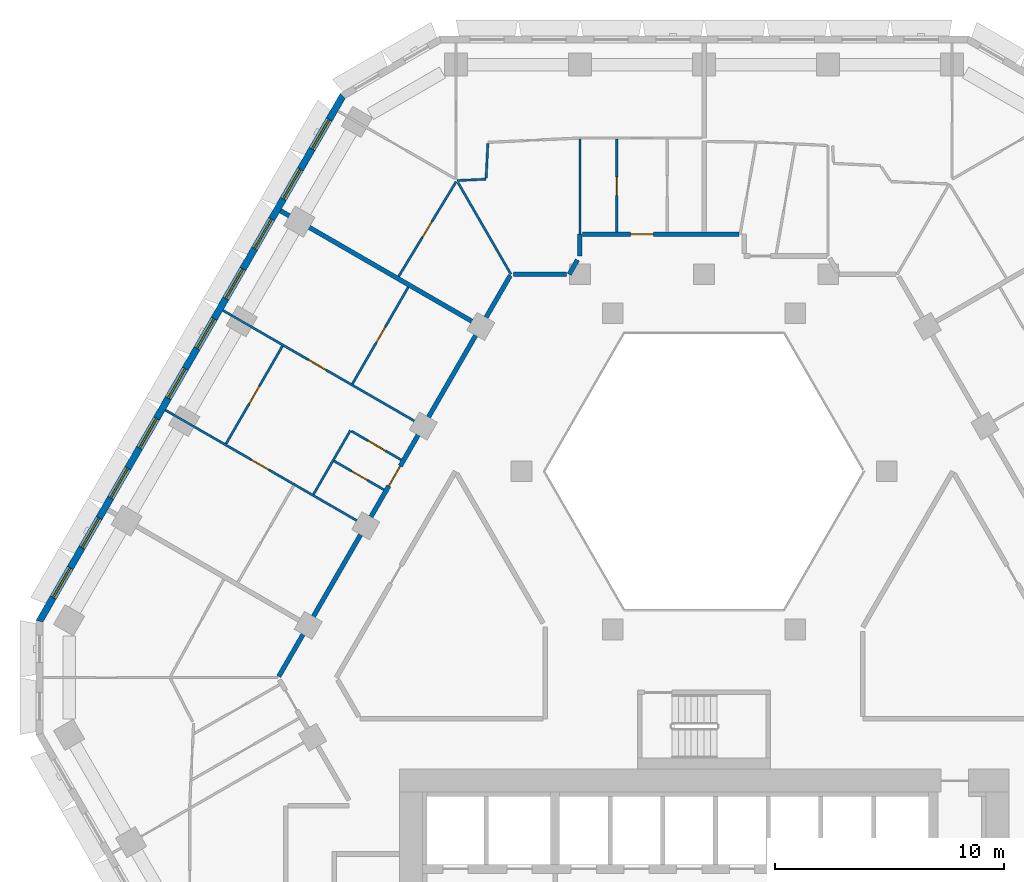
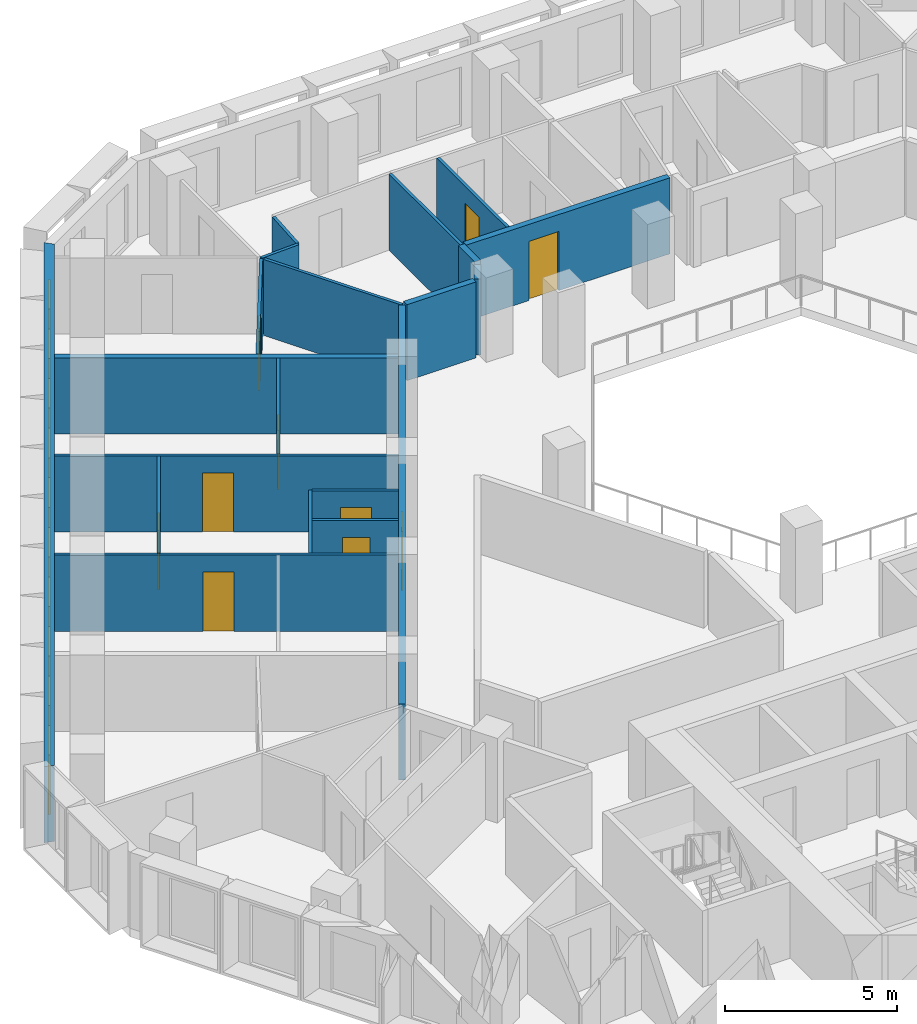
# One storey, part 8 of 18: 20 walls, 10 doors, 10 windows, 20 openings.
"""IFC4 building model written with IfcOpenShell, lengths in metres."""

from ifc_helpers import new_model, si_unit, direction, frame, frame_2d, origin, place, context, subcontext, project, spatial, polyline, rectangle, outline, extrude, material, layer, layer_set, type_object, element, fill, save


model = new_model("IFC4")

# Units and contexts
model_context = context("Model", 3, precision=1e-05, world=origin(), true_north=direction((0.0, 1.0)))
body_context = subcontext(model_context, "Body", "Model", "MODEL_VIEW")
ifc_project = project(units=[si_unit("LENGTHUNIT", "METRE"), si_unit("AREAUNIT", "SQUARE_METRE"), si_unit("VOLUMEUNIT", "CUBIC_METRE"), si_unit("PLANEANGLEUNIT", "RADIAN"), si_unit("MASSUNIT", "GRAM", prefix="KILO")], contexts=[model_context])

# Site, building, storey
site_placement = place(None, origin())
site = spatial("IfcSite", under=ifc_project, at=site_placement, CompositionType="ELEMENT")
building_placement = place(site_placement, origin())
building = spatial("IfcBuilding", under=site, at=building_placement, Name="Beryl Residences", CompositionType="ELEMENT")
storey_placement = place(building_placement, frame((0.0, 0.0, 75.0)))
storey = spatial("IfcBuildingStorey", under=building, at=storey_placement, Name="L22", CompositionType="ELEMENT", Elevation=75.0)

# Wall, openings, windows
ifc_material_1 = material(Name="Composite metal panel with mineral wool insulation")
ifc_layer_1 = layer(ifc_material_1, 0.300048828125)
ifc_layer_set_1 = layer_set([ifc_layer_1], Name="ES1 pale metal composite panel wall 300 mm")
wall_type_1 = type_object("IfcWallType", Name="ES1 pale metal composite panel wall 300 mm", PredefinedType="SOLIDWALL", material=ifc_layer_set_1)
wall_1_placement = place(storey_placement, frame((-15.7470703125, 24.425048828125, 0.0), z_axis=(0.0, 0.0, 1.0), x_axis=(-0.500027479704, -0.866009537788, 0.0)))
wall_1 = element("IfcWall", 1, at=wall_1_placement, inside=storey, type_object=wall_type_1, Name="ES1 external wall L22 NW", PredefinedType="SOLIDWALL", context=body_context, shape_type="SweptSolid", body=[
    extrude(outline(polyline([(0.0, -0.14990234375), (26.55859375, -0.14990234375), (26.478271484375, 0.14990234375), (0.080322265625, 0.14990234375), (0.0, -0.14990234375)])), origin(), (0.0, 0.0, 1.0), 2.699951171875),
])
opening_1_placement = place(wall_1_placement, frame((1.22705078125, 0.0, 0.14990234375)))
opening_1 = element("IfcOpeningElement", 2, at=opening_1_placement, cuts=wall_1, Name="Opening W1", PredefinedType="OPENING", context=body_context, shape_type="SweptSolid", body=[
    extrude(rectangle(XDim=1.5, YDim=2.10009765625, at=frame_2d((0.75, 1.050048828125))), frame((0.0, 0.159912109375, 0.0), z_axis=(0.0, -1.0, 0.0), x_axis=(1.0, 0.0, 0.0)), (0.0, 0.0, 1.0), 0.320068359375),
])
opening_2_placement = place(wall_1_placement, frame((3.739013671875, 0.0, 0.14990234375)))
opening_2 = element("IfcOpeningElement", 3, at=opening_2_placement, cuts=wall_1, Name="Opening W1", PredefinedType="OPENING", context=body_context, shape_type="SweptSolid", body=[
    extrude(rectangle(XDim=1.5, YDim=2.10009765625, at=frame_2d((0.75, 1.050048828125))), frame((0.0, 0.159912109375, 0.0), z_axis=(0.0, -1.0, 0.0), x_axis=(1.0, 0.0, 0.0)), (0.0, 0.0, 1.0), 0.320068359375),
])
opening_3_placement = place(wall_1_placement, frame((6.25, 0.0, 0.14990234375)))
opening_3 = element("IfcOpeningElement", 4, at=opening_3_placement, cuts=wall_1, Name="Opening W1", PredefinedType="OPENING", context=body_context, shape_type="SweptSolid", body=[
    extrude(rectangle(XDim=1.5, YDim=2.10009765625, at=frame_2d((0.75, 1.050048828125))), frame((0.0, 0.159912109375, 0.0), z_axis=(0.0, -1.0, 0.0), x_axis=(1.0, 0.0, 0.0)), (0.0, 0.0, 1.0), 0.320068359375),
])
opening_4_placement = place(wall_1_placement, frame((8.760986328125, 0.0, 0.14990234375)))
opening_4 = element("IfcOpeningElement", 5, at=opening_4_placement, cuts=wall_1, Name="Opening W1", PredefinedType="OPENING", context=body_context, shape_type="SweptSolid", body=[
    extrude(rectangle(XDim=1.5, YDim=2.10009765625, at=frame_2d((0.75, 1.050048828125))), frame((0.0, 0.159912109375, 0.0), z_axis=(0.0, -1.0, 0.0), x_axis=(1.0, 0.0, 0.0)), (0.0, 0.0, 1.0), 0.320068359375),
])
opening_5_placement = place(wall_1_placement, frame((11.27294921875, 0.0, 0.14990234375)))
opening_5 = element("IfcOpeningElement", 6, at=opening_5_placement, cuts=wall_1, Name="Opening W1", PredefinedType="OPENING", context=body_context, shape_type="SweptSolid", body=[
    extrude(rectangle(XDim=1.5, YDim=2.10009765625, at=frame_2d((0.75, 1.050048828125))), frame((0.0, 0.159912109375, 0.0), z_axis=(0.0, -1.0, 0.0), x_axis=(1.0, 0.0, 0.0)), (0.0, 0.0, 1.0), 0.320068359375),
])
opening_6_placement = place(wall_1_placement, frame((13.784912109375, 0.0, 0.14990234375)))
opening_6 = element("IfcOpeningElement", 7, at=opening_6_placement, cuts=wall_1, Name="Opening W1", PredefinedType="OPENING", context=body_context, shape_type="SweptSolid", body=[
    extrude(rectangle(XDim=1.5, YDim=2.10009765625, at=frame_2d((0.75, 1.050048828125))), frame((0.0, 0.159912109375, 0.0), z_axis=(0.0, -1.0, 0.0), x_axis=(1.0, 0.0, 0.0)), (0.0, 0.0, 1.0), 0.320068359375),
])
opening_7_placement = place(wall_1_placement, frame((16.2958984375, 0.0, 0.14990234375)))
opening_7 = element("IfcOpeningElement", 8, at=opening_7_placement, cuts=wall_1, Name="Opening W1", PredefinedType="OPENING", context=body_context, shape_type="SweptSolid", body=[
    extrude(rectangle(XDim=1.5, YDim=2.10009765625, at=frame_2d((0.75, 1.050048828125))), frame((0.0, 0.159912109375, 0.0), z_axis=(0.0, -1.0, 0.0), x_axis=(1.0, 0.0, 0.0)), (0.0, 0.0, 1.0), 0.320068359375),
])
opening_8_placement = place(wall_1_placement, frame((18.806884765625, 0.0, 0.14990234375)))
opening_8 = element("IfcOpeningElement", 9, at=opening_8_placement, cuts=wall_1, Name="Opening W1", PredefinedType="OPENING", context=body_context, shape_type="SweptSolid", body=[
    extrude(rectangle(XDim=1.5, YDim=2.10009765625, at=frame_2d((0.75, 1.050048828125))), frame((0.0, 0.159912109375, 0.0), z_axis=(0.0, -1.0, 0.0), x_axis=(1.0, 0.0, 0.0)), (0.0, 0.0, 1.0), 0.320068359375),
])
opening_9_placement = place(wall_1_placement, frame((21.319091796875, 0.0, 0.14990234375)))
opening_9 = element("IfcOpeningElement", 10, at=opening_9_placement, cuts=wall_1, Name="Opening W1", PredefinedType="OPENING", context=body_context, shape_type="SweptSolid", body=[
    extrude(rectangle(XDim=1.5, YDim=2.10009765625, at=frame_2d((0.75, 1.050048828125))), frame((0.0, 0.159912109375, 0.0), z_axis=(0.0, -1.0, 0.0), x_axis=(1.0, 0.0, 0.0)), (0.0, 0.0, 1.0), 0.320068359375),
])
opening_10_placement = place(wall_1_placement, frame((23.8310546875, 0.0, 0.14990234375)))
opening_10 = element("IfcOpeningElement", 11, at=opening_10_placement, cuts=wall_1, Name="Opening W1", PredefinedType="OPENING", context=body_context, shape_type="SweptSolid", body=[
    extrude(rectangle(XDim=1.5, YDim=2.10009765625, at=frame_2d((0.75, 1.050048828125))), frame((0.0, 0.159912109375, 0.0), z_axis=(0.0, -1.0, 0.0), x_axis=(1.0, 0.0, 0.0)), (0.0, 0.0, 1.0), 0.320068359375),
])
ifc_material_2 = material(Name="Aluminium and clear glass", Category="aluminium")
window_type = type_object("IfcWindowType", Name="W1 cell window 1500 x 2100 mm", PartitioningType="SINGLE_PANEL", PredefinedType="WINDOW", material=ifc_material_2)
window_1_placement = place(opening_1_placement, origin())
window_1 = element("IfcWindow", 12, at=window_1_placement, inside=storey, type_object=window_type, Name="W1 window L22 NW 1", OverallHeight=2.10009765625, OverallWidth=1.5, PartitioningType="SINGLE_PANEL", PredefinedType="WINDOW", context=body_context, shape_type="SweptSolid", body=[
    extrude(rectangle(XDim=1.5, YDim=2.10009765625, at=frame_2d((0.75, 1.050048828125))), frame((0.0, 0.030029296875, 0.0), z_axis=(0.0, -1.0, 0.0), x_axis=(1.0, 0.0, 0.0)), (0.0, 0.0, 1.0), 0.06005859375),
])
fill(opening_1, window_1)
window_2_placement = place(opening_2_placement, origin())
window_2 = element("IfcWindow", 13, at=window_2_placement, inside=storey, type_object=window_type, Name="W1 window L22 NW 2", OverallHeight=2.10009765625, OverallWidth=1.5, PartitioningType="SINGLE_PANEL", PredefinedType="WINDOW", context=body_context, shape_type="SweptSolid", body=[
    extrude(rectangle(XDim=1.5, YDim=2.10009765625, at=frame_2d((0.75, 1.050048828125))), frame((0.0, 0.030029296875, 0.0), z_axis=(0.0, -1.0, 0.0), x_axis=(1.0, 0.0, 0.0)), (0.0, 0.0, 1.0), 0.06005859375),
])
fill(opening_2, window_2)
window_3_placement = place(opening_3_placement, origin())
window_3 = element("IfcWindow", 14, at=window_3_placement, inside=storey, type_object=window_type, Name="W1 window L22 NW 3", OverallHeight=2.10009765625, OverallWidth=1.5, PartitioningType="SINGLE_PANEL", PredefinedType="WINDOW", context=body_context, shape_type="SweptSolid", body=[
    extrude(rectangle(XDim=1.5, YDim=2.10009765625, at=frame_2d((0.75, 1.050048828125))), frame((0.0, 0.030029296875, 0.0), z_axis=(0.0, -1.0, 0.0), x_axis=(1.0, 0.0, 0.0)), (0.0, 0.0, 1.0), 0.06005859375),
])
fill(opening_3, window_3)
window_4_placement = place(opening_4_placement, origin())
window_4 = element("IfcWindow", 15, at=window_4_placement, inside=storey, type_object=window_type, Name="W1 window L22 NW 4", OverallHeight=2.10009765625, OverallWidth=1.5, PartitioningType="SINGLE_PANEL", PredefinedType="WINDOW", context=body_context, shape_type="SweptSolid", body=[
    extrude(rectangle(XDim=1.5, YDim=2.10009765625, at=frame_2d((0.75, 1.050048828125))), frame((0.0, 0.030029296875, 0.0), z_axis=(0.0, -1.0, 0.0), x_axis=(1.0, 0.0, 0.0)), (0.0, 0.0, 1.0), 0.06005859375),
])
fill(opening_4, window_4)
window_5_placement = place(opening_5_placement, origin())
window_5 = element("IfcWindow", 16, at=window_5_placement, inside=storey, type_object=window_type, Name="W1 window L22 NW 5", OverallHeight=2.10009765625, OverallWidth=1.5, PartitioningType="SINGLE_PANEL", PredefinedType="WINDOW", context=body_context, shape_type="SweptSolid", body=[
    extrude(rectangle(XDim=1.5, YDim=2.10009765625, at=frame_2d((0.75, 1.050048828125))), frame((0.0, 0.030029296875, 0.0), z_axis=(0.0, -1.0, 0.0), x_axis=(1.0, 0.0, 0.0)), (0.0, 0.0, 1.0), 0.06005859375),
])
fill(opening_5, window_5)
window_6_placement = place(opening_6_placement, origin())
window_6 = element("IfcWindow", 17, at=window_6_placement, inside=storey, type_object=window_type, Name="W1 window L22 NW 6", OverallHeight=2.10009765625, OverallWidth=1.5, PartitioningType="SINGLE_PANEL", PredefinedType="WINDOW", context=body_context, shape_type="SweptSolid", body=[
    extrude(rectangle(XDim=1.5, YDim=2.10009765625, at=frame_2d((0.75, 1.050048828125))), frame((0.0, 0.030029296875, 0.0), z_axis=(0.0, -1.0, 0.0), x_axis=(1.0, 0.0, 0.0)), (0.0, 0.0, 1.0), 0.06005859375),
])
fill(opening_6, window_6)
window_7_placement = place(opening_7_placement, origin())
window_7 = element("IfcWindow", 18, at=window_7_placement, inside=storey, type_object=window_type, Name="W1 window L22 NW 7", OverallHeight=2.10009765625, OverallWidth=1.5, PartitioningType="SINGLE_PANEL", PredefinedType="WINDOW", context=body_context, shape_type="SweptSolid", body=[
    extrude(rectangle(XDim=1.5, YDim=2.10009765625, at=frame_2d((0.75, 1.050048828125))), frame((0.0, 0.030029296875, 0.0), z_axis=(0.0, -1.0, 0.0), x_axis=(1.0, 0.0, 0.0)), (0.0, 0.0, 1.0), 0.06005859375),
])
fill(opening_7, window_7)
window_8_placement = place(opening_8_placement, origin())
window_8 = element("IfcWindow", 19, at=window_8_placement, inside=storey, type_object=window_type, Name="W1 window L22 NW 8", OverallHeight=2.10009765625, OverallWidth=1.5, PartitioningType="SINGLE_PANEL", PredefinedType="WINDOW", context=body_context, shape_type="SweptSolid", body=[
    extrude(rectangle(XDim=1.5, YDim=2.10009765625, at=frame_2d((0.75, 1.050048828125))), frame((0.0, 0.030029296875, 0.0), z_axis=(0.0, -1.0, 0.0), x_axis=(1.0, 0.0, 0.0)), (0.0, 0.0, 1.0), 0.06005859375),
])
fill(opening_8, window_8)
window_9_placement = place(opening_9_placement, origin())
window_9 = element("IfcWindow", 20, at=window_9_placement, inside=storey, type_object=window_type, Name="W1 window L22 NW 9", OverallHeight=2.10009765625, OverallWidth=1.5, PartitioningType="SINGLE_PANEL", PredefinedType="WINDOW", context=body_context, shape_type="SweptSolid", body=[
    extrude(rectangle(XDim=1.5, YDim=2.10009765625, at=frame_2d((0.75, 1.050048828125))), frame((0.0, 0.030029296875, 0.0), z_axis=(0.0, -1.0, 0.0), x_axis=(1.0, 0.0, 0.0)), (0.0, 0.0, 1.0), 0.06005859375),
])
fill(opening_9, window_9)
window_10_placement = place(opening_10_placement, origin())
window_10 = element("IfcWindow", 21, at=window_10_placement, inside=storey, type_object=window_type, Name="W1 window L22 NW 10", OverallHeight=2.10009765625, OverallWidth=1.5, PartitioningType="SINGLE_PANEL", PredefinedType="WINDOW", context=body_context, shape_type="SweptSolid", body=[
    extrude(rectangle(XDim=1.5, YDim=2.10009765625, at=frame_2d((0.75, 1.050048828125))), frame((0.0, 0.030029296875, 0.0), z_axis=(0.0, -1.0, 0.0), x_axis=(1.0, 0.0, 0.0)), (0.0, 0.0, 1.0), 0.06005859375),
])
fill(opening_10, window_10)

# Wall
ifc_material_3 = material(Name="Gypsum board partition on steel studs", Category="steel")
ifc_layer_2 = layer(ifc_material_3, 0.10009765625)
ifc_layer_set_2 = layer_set([ifc_layer_2], Name="PT1 partition 100 mm gypsum board on steel studs")
wall_type_2 = type_object("IfcWallType", Name="PT1 partition 100 mm gypsum board on steel studs", PredefinedType="PARTITIONING", material=ifc_layer_set_2)
wall_2_placement = place(storey_placement, frame((-10.741943359375, 20.60595703125, 0.0), z_axis=(0.0, 0.0, 1.0), x_axis=(0.50003312339, -0.866006279142, 0.0)))
element("IfcWall", 22, at=wall_2_placement, inside=storey, type_object=wall_type_2, Name="Wall PT1 L22 005", PredefinedType="PARTITIONING", context=body_context, shape_type="SweptSolid", body=[
    extrude(rectangle(XDim=4.625732421875, YDim=0.10009765625, at=frame_2d((2.31298828125, 0.0))), origin(), (0.0, 0.0, 1.0), 2.699951171875),
])

# Wall, opening, door
wall_3_placement = place(storey_placement, frame((-16.14697265625, 8.451904296875, 0.0), z_axis=(0.0, 0.0, 1.0), x_axis=(0.866080321209, -0.499904868165, 0.0)))
wall_3 = element("IfcWall", 23, at=wall_3_placement, inside=storey, type_object=wall_type_2, Name="Wall PT1 L22 024", PredefinedType="PARTITIONING", context=body_context, shape_type="SweptSolid", body=[
    extrude(rectangle(XDim=2.51025390625, YDim=0.10009765625, at=frame_2d((1.255126953125, 0.0))), origin(), (0.0, 0.0, 1.0), 2.699951171875),
])
opening_11_placement = place(wall_3_placement, frame((0.8798828125, 0.0, 0.0)))
opening_11 = element("IfcOpeningElement", 24, at=opening_11_placement, cuts=wall_3, Name="Opening D0611", PredefinedType="OPENING", context=body_context, shape_type="SweptSolid", body=[
    extrude(rectangle(XDim=0.800048828125, YDim=2.10009765625, at=frame_2d((0.39990234375, 1.050048828125))), frame((0.0, 0.06005859375, 0.0), z_axis=(0.0, -1.0, 0.0), x_axis=(1.0, 0.0, 0.0)), (0.0, 0.0, 1.0), 0.1201171875),
])
ifc_material_4 = material(Name="Timber door leaf", Category="wood")
door_type_1 = type_object("IfcDoorType", Name="D3 bathroom door 800 x 2100 mm", OperationType="SINGLE_SWING_LEFT", PredefinedType="DOOR", material=ifc_material_4)
door_1_placement = place(opening_11_placement, origin())
door_1 = element("IfcDoor", 25, at=door_1_placement, inside=storey, type_object=door_type_1, Name="Door D0611 L22 001", OperationType="SINGLE_SWING_LEFT", OverallHeight=2.10009765625, OverallWidth=0.800048828125, PredefinedType="DOOR", context=body_context, shape_type="SweptSolid", body=[
    extrude(rectangle(XDim=0.800048828125, YDim=2.10009765625, at=frame_2d((0.39990234375, 1.050048828125))), frame((0.0, 0.02490234375, 0.0), z_axis=(0.0, -1.0, 0.0), x_axis=(1.0, 0.0, 0.0)), (0.0, 0.0, 1.0), 0.050048828125),
])
fill(opening_11, door_1)

wall_4_placement = place(storey_placement, frame((-23.512939453125, 10.675048828125, 0.0), z_axis=(0.0, 0.0, 1.0), x_axis=(0.866041268327, -0.499972520799, 0.0)))
wall_4 = element("IfcWall", 26, at=wall_4_placement, inside=storey, type_object=wall_type_2, Name="Wall PT1 L22 025", PredefinedType="PARTITIONING", context=body_context, shape_type="SweptSolid", body=[
    extrude(rectangle(XDim=10.00048828125, YDim=0.10009765625, at=frame_2d((5.000244140625, 0.0))), origin(), (0.0, 0.0, 1.0), 2.699951171875),
])
opening_12_placement = place(wall_4_placement, frame((4.324951171875, 0.0, 0.0)))
opening_12 = element("IfcOpeningElement", 27, at=opening_12_placement, cuts=wall_4, Name="Opening D0613", PredefinedType="OPENING", context=body_context, shape_type="SweptSolid", body=[
    extrude(rectangle(XDim=0.89990234375, YDim=2.10009765625, at=frame_2d((0.449951171875, 1.050048828125))), frame((0.0, 0.06005859375, 0.0), z_axis=(0.0, -1.0, 0.0), x_axis=(1.0, 0.0, 0.0)), (0.0, 0.0, 1.0), 0.1201171875),
])
ifc_material_5 = material(Name="Timber door leaf", Category="wood")
door_type_2 = type_object("IfcDoorType", Name="D2 room door 900 x 2100 mm", OperationType="SINGLE_SWING_LEFT", PredefinedType="DOOR", material=ifc_material_5)
door_2_placement = place(opening_12_placement, origin())
door_2 = element("IfcDoor", 28, at=door_2_placement, inside=storey, type_object=door_type_2, Name="Door D0613 L22 001", OperationType="SINGLE_SWING_LEFT", OverallHeight=2.10009765625, OverallWidth=0.89990234375, PredefinedType="DOOR", context=body_context, shape_type="SweptSolid", body=[
    extrude(rectangle(XDim=0.89990234375, YDim=2.10009765625, at=frame_2d((0.449951171875, 1.050048828125))), frame((0.0, 0.02490234375, 0.0), z_axis=(0.0, -1.0, 0.0), x_axis=(1.0, 0.0, 0.0)), (0.0, 0.0, 1.0), 0.050048828125),
])
fill(opening_12, door_2)

wall_5_placement = place(storey_placement, frame((-15.39306640625, 9.757080078125, 0.0), z_axis=(0.0, 0.0, 1.0), x_axis=(0.865940918122, -0.500146304917, 0.0)))
wall_5 = element("IfcWall", 29, at=wall_5_placement, inside=storey, type_object=wall_type_2, Name="Wall PT1 L22 027", PredefinedType="PARTITIONING", context=body_context, shape_type="SweptSolid", body=[
    extrude(rectangle(XDim=2.509521484375, YDim=0.10009765625, at=frame_2d((1.2548828125, 0.0))), origin(), (0.0, 0.0, 1.0), 2.699951171875),
])
opening_13_placement = place(wall_5_placement, frame((0.8291015625, 0.0, 0.0)))
opening_13 = element("IfcOpeningElement", 30, at=opening_13_placement, cuts=wall_5, Name="Opening D0610", PredefinedType="OPENING", context=body_context, shape_type="SweptSolid", body=[
    extrude(rectangle(XDim=0.89990234375, YDim=2.10009765625, at=frame_2d((0.449951171875, 1.050048828125))), frame((0.0, 0.06005859375, 0.0), z_axis=(0.0, -1.0, 0.0), x_axis=(1.0, 0.0, 0.0)), (0.0, 0.0, 1.0), 0.1201171875),
])
door_3_placement = place(opening_13_placement, origin())
door_3 = element("IfcDoor", 31, at=door_3_placement, inside=storey, type_object=door_type_2, Name="Door D0610 L22 001", OperationType="SINGLE_SWING_RIGHT", OverallHeight=2.10009765625, OverallWidth=0.89990234375, PredefinedType="DOOR", context=body_context, shape_type="SweptSolid", body=[
    extrude(rectangle(XDim=0.89990234375, YDim=2.10009765625, at=frame_2d((0.449951171875, 1.050048828125))), frame((0.0, 0.02490234375, 0.0), z_axis=(0.0, -1.0, 0.0), x_axis=(1.0, 0.0, 0.0)), (0.0, 0.0, 1.0), 0.050048828125),
])
fill(opening_13, door_3)

wall_6_placement = place(storey_placement, frame((-21.0009765625, 15.02490234375, 0.0), z_axis=(0.0, 0.0, 1.0), x_axis=(0.866016855193, -0.500014806302, 0.0)))
wall_6 = element("IfcWall", 32, at=wall_6_placement, inside=storey, type_object=wall_type_2, Name="Wall PT1 L22 029", PredefinedType="PARTITIONING", context=body_context, shape_type="SweptSolid", body=[
    extrude(rectangle(XDim=9.999755859375, YDim=0.10009765625, at=frame_2d((5.0, 0.0))), origin(), (0.0, 0.0, 1.0), 2.699951171875),
])
opening_14_placement = place(wall_6_placement, frame((4.304931640625, 0.0, 0.0)))
opening_14 = element("IfcOpeningElement", 33, at=opening_14_placement, cuts=wall_6, Name="Opening D0614", PredefinedType="OPENING", context=body_context, shape_type="SweptSolid", body=[
    extrude(rectangle(XDim=0.89990234375, YDim=2.10009765625, at=frame_2d((0.449951171875, 1.050048828125))), frame((0.0, 0.06005859375, 0.0), z_axis=(0.0, -1.0, 0.0), x_axis=(1.0, 0.0, 0.0)), (0.0, 0.0, 1.0), 0.1201171875),
])
door_4_placement = place(opening_14_placement, origin())
door_4 = element("IfcDoor", 34, at=door_4_placement, inside=storey, type_object=door_type_2, Name="Door D0614 L22 001", OperationType="SINGLE_SWING_RIGHT", OverallHeight=2.10009765625, OverallWidth=0.89990234375, PredefinedType="DOOR", context=body_context, shape_type="SweptSolid", body=[
    extrude(rectangle(XDim=0.89990234375, YDim=2.10009765625, at=frame_2d((0.449951171875, 1.050048828125))), frame((0.0, 0.02490234375, 0.0), z_axis=(0.0, -1.0, 0.0), x_axis=(1.0, 0.0, 0.0)), (0.0, 0.0, 1.0), 0.050048828125),
])
fill(opening_14, door_4)

wall_7_placement = place(storey_placement, frame((-13.327880859375, 16.510986328125, 0.0), z_axis=(0.0, 0.0, 1.0), x_axis=(0.518570528669, 0.855034857065, 0.0)))
wall_7 = element("IfcWall", 35, at=wall_7_placement, inside=storey, type_object=wall_type_2, Name="Wall PT1 L22 037", PredefinedType="PARTITIONING", context=body_context, shape_type="SweptSolid", body=[
    extrude(rectangle(XDim=4.830322265625, YDim=0.10009765625, at=frame_2d((2.4150390625, 0.0))), origin(), (0.0, 0.0, 1.0), 2.699951171875),
])
opening_15_placement = place(wall_7_placement, frame((1.9951171875, 0.0, 0.0)))
opening_15 = element("IfcOpeningElement", 36, at=opening_15_placement, cuts=wall_7, Name="Opening D0608", PredefinedType="OPENING", context=body_context, shape_type="SweptSolid", body=[
    extrude(rectangle(XDim=0.800048828125, YDim=2.10009765625, at=frame_2d((0.39990234375, 1.050048828125))), frame((0.0, 0.06005859375, 0.0), z_axis=(0.0, -1.0, 0.0), x_axis=(1.0, 0.0, 0.0)), (0.0, 0.0, 1.0), 0.1201171875),
])
door_5_placement = place(opening_15_placement, origin())
door_5 = element("IfcDoor", 37, at=door_5_placement, inside=storey, type_object=door_type_1, Name="Door D0608 L22 001", OperationType="SINGLE_SWING_RIGHT", OverallHeight=2.10009765625, OverallWidth=0.800048828125, PredefinedType="DOOR", context=body_context, shape_type="SweptSolid", body=[
    extrude(rectangle(XDim=0.800048828125, YDim=2.10009765625, at=frame_2d((0.39990234375, 1.050048828125))), frame((0.0, 0.02490234375, 0.0), z_axis=(0.0, -1.0, 0.0), x_axis=(1.0, 0.0, 0.0)), (0.0, 0.0, 1.0), 0.050048828125),
])
fill(opening_15, door_5)

# Wall
wall_8_placement = place(storey_placement, frame((-17.0439453125, 6.9990234375, 0.0), z_axis=(0.0, 0.0, 1.0), x_axis=(0.500176309913, 0.865923587277, 0.0)))
element("IfcWall", 38, at=wall_8_placement, inside=storey, type_object=wall_type_2, Name="Wall PT1 L22 042", PredefinedType="PARTITIONING", context=body_context, shape_type="SweptSolid", body=[
    extrude(rectangle(XDim=3.212646484375, YDim=0.10009765625, at=frame_2d((1.6064453125, 0.0))), origin(), (0.0, 0.0, 1.0), 2.699951171875),
])

# Wall, opening, door
wall_9_placement = place(storey_placement, frame((-15.346923828125, 11.819091796875, 0.0), z_axis=(0.0, 0.0, 1.0), x_axis=(0.499943653708, 0.866057932887, 0.0)))
wall_9 = element("IfcWall", 39, at=wall_9_placement, inside=storey, type_object=wall_type_2, Name="Wall PT1 L22 044", PredefinedType="PARTITIONING", context=body_context, shape_type="SweptSolid", body=[
    extrude(rectangle(XDim=4.87255859375, YDim=0.10009765625, at=frame_2d((2.436279296875, 0.0))), origin(), (0.0, 0.0, 1.0), 2.699951171875),
])
opening_16_placement = place(wall_9_placement, frame((2.06201171875, 0.0, 0.0)))
opening_16 = element("IfcOpeningElement", 40, at=opening_16_placement, cuts=wall_9, Name="Opening D0615", PredefinedType="OPENING", context=body_context, shape_type="SweptSolid", body=[
    extrude(rectangle(XDim=0.800048828125, YDim=2.10009765625, at=frame_2d((0.39990234375, 1.050048828125))), frame((0.0, 0.06005859375, 0.0), z_axis=(0.0, -1.0, 0.0), x_axis=(1.0, 0.0, 0.0)), (0.0, 0.0, 1.0), 0.1201171875),
])
door_6_placement = place(opening_16_placement, origin())
door_6 = element("IfcDoor", 41, at=door_6_placement, inside=storey, type_object=door_type_1, Name="Door D0615 L22 001", OperationType="SINGLE_SWING_LEFT", OverallHeight=2.10009765625, OverallWidth=0.800048828125, PredefinedType="DOOR", context=body_context, shape_type="SweptSolid", body=[
    extrude(rectangle(XDim=0.800048828125, YDim=2.10009765625, at=frame_2d((0.39990234375, 1.050048828125))), frame((0.0, 0.02490234375, 0.0), z_axis=(0.0, -1.0, 0.0), x_axis=(1.0, 0.0, 0.0)), (0.0, 0.0, 1.0), 0.050048828125),
])
fill(opening_16, door_6)

wall_10_placement = place(storey_placement, frame((-20.864013671875, 9.202880859375, 0.0), z_axis=(0.0, 0.0, 1.0), x_axis=(0.500000007376, 0.866025399526, 0.0)))
wall_10 = element("IfcWall", 42, at=wall_10_placement, inside=storey, type_object=wall_type_2, Name="Wall PT1 L22 045", PredefinedType="PARTITIONING", context=body_context, shape_type="SweptSolid", body=[
    extrude(rectangle(XDim=4.923828125, YDim=0.10009765625, at=frame_2d((2.4619140625, 0.0))), origin(), (0.0, 0.0, 1.0), 2.699951171875),
])
opening_17_placement = place(wall_10_placement, frame((2.011962890625, 0.0, 0.0)))
opening_17 = element("IfcOpeningElement", 43, at=opening_17_placement, cuts=wall_10, Name="Opening D0612", PredefinedType="OPENING", context=body_context, shape_type="SweptSolid", body=[
    extrude(rectangle(XDim=0.89990234375, YDim=2.10009765625, at=frame_2d((0.449951171875, 1.050048828125))), frame((0.0, 0.06005859375, 0.0), z_axis=(0.0, -1.0, 0.0), x_axis=(1.0, 0.0, 0.0)), (0.0, 0.0, 1.0), 0.1201171875),
])
door_7_placement = place(opening_17_placement, origin())
door_7 = element("IfcDoor", 44, at=door_7_placement, inside=storey, type_object=door_type_2, Name="Door D0612 L22 001", OperationType="SINGLE_SWING_RIGHT", OverallHeight=2.10009765625, OverallWidth=0.89990234375, PredefinedType="DOOR", context=body_context, shape_type="SweptSolid", body=[
    extrude(rectangle(XDim=0.89990234375, YDim=2.10009765625, at=frame_2d((0.449951171875, 1.050048828125))), frame((0.0, 0.02490234375, 0.0), z_axis=(0.0, -1.0, 0.0), x_axis=(1.0, 0.0, 0.0)), (0.0, 0.0, 1.0), 0.050048828125),
])
fill(opening_17, door_7)

# Wall
wall_11_placement = place(storey_placement, frame((-9.511962890625, 20.802978515625, 0.0), z_axis=(0.0, 0.0, 1.0), x_axis=(0.049089165168, 0.998794400196, 0.0)))
element("IfcWall", 45, at=wall_11_placement, inside=storey, type_object=wall_type_2, Name="Wall PT1 L22 051", PredefinedType="PARTITIONING", context=body_context, shape_type="SweptSolid", body=[
    extrude(rectangle(XDim=1.5068359375, YDim=0.10009765625, at=frame_2d((0.75341796875, 0.0))), origin(), (0.0, 0.0, 1.0), 2.699951171875),
])

# Wall, opening, door
wall_12_placement = place(storey_placement, frame((-3.806884765625, 18.449951171875, 0.0), z_axis=(0.0, 0.0, 1.0), x_axis=(0.0, 1.0, 0.0)))
wall_12 = element("IfcWall", 46, at=wall_12_placement, inside=storey, type_object=wall_type_2, Name="Wall PT1 L22 060", PredefinedType="PARTITIONING", context=body_context, shape_type="SweptSolid", body=[
    extrude(rectangle(XDim=4.050048828125, YDim=0.10009765625, at=frame_2d((2.02490234375, 0.0))), origin(), (0.0, 0.0, 1.0), 2.699951171875),
])
opening_18_placement = place(wall_12_placement, frame((1.60009765625, 0.0, 0.0)))
opening_18 = element("IfcOpeningElement", 47, at=opening_18_placement, cuts=wall_12, Name="Opening D0602", PredefinedType="OPENING", context=body_context, shape_type="SweptSolid", body=[
    extrude(rectangle(XDim=0.800048828125, YDim=2.10009765625, at=frame_2d((0.39990234375, 1.050048828125))), frame((0.0, 0.06005859375, 0.0), z_axis=(0.0, -1.0, 0.0), x_axis=(1.0, 0.0, 0.0)), (0.0, 0.0, 1.0), 0.1201171875),
])
door_8_placement = place(opening_18_placement, origin())
door_8 = element("IfcDoor", 48, at=door_8_placement, inside=storey, type_object=door_type_1, Name="Door D0602 L22 001", OperationType="SINGLE_SWING_RIGHT", OverallHeight=2.10009765625, OverallWidth=0.800048828125, PredefinedType="DOOR", context=body_context, shape_type="SweptSolid", body=[
    extrude(rectangle(XDim=0.800048828125, YDim=2.10009765625, at=frame_2d((0.39990234375, 1.050048828125))), frame((0.0, 0.02490234375, 0.0), z_axis=(0.0, -1.0, 0.0), x_axis=(1.0, 0.0, 0.0)), (0.0, 0.0, 1.0), 0.050048828125),
])
fill(opening_18, door_8)

# Walls
wall_13_placement = place(storey_placement, frame((-5.4140625, 18.35009765625, 0.0), z_axis=(0.0, 0.0, 1.0), x_axis=(0.0, 1.0, 0.0)))
element("IfcWall", 49, at=wall_13_placement, inside=storey, type_object=wall_type_2, Name="Wall PT1 L22 061", PredefinedType="PARTITIONING", context=body_context, shape_type="SweptSolid", body=[
    extrude(rectangle(XDim=4.14990234375, YDim=0.10009765625, at=frame_2d((2.074951171875, 0.0))), origin(), (0.0, 0.0, 1.0), 2.699951171875),
])
wall_14_placement = place(storey_placement, frame((-10.7919921875, 20.69189453125, 0.0), z_axis=(0.0, 0.0, 1.0), x_axis=(0.998861653202, 0.04770112957, 0.0)))
element("IfcWall", 50, at=wall_14_placement, inside=storey, type_object=wall_type_2, Name="Wall PT1 L22 067", PredefinedType="PARTITIONING", context=body_context, shape_type="SweptSolid", body=[
    extrude(rectangle(XDim=1.279541015625, YDim=0.10009765625, at=frame_2d((0.6396484375, 0.0))), origin(), (0.0, 0.0, 1.0), 2.699951171875),
])
ifc_material_6 = material(Name="Acoustic double stud gypsum board wall")
ifc_layer_3 = layer(ifc_material_6, 0.199951171875)
ifc_layer_set_3 = layer_set([ifc_layer_3], Name="PT3 party wall 200 mm acoustic double stud")
wall_type_3 = type_object("IfcWallType", Name="PT3 party wall 200 mm acoustic double stud", PredefinedType="PARTITIONING", material=ifc_layer_set_3)
wall_15_placement = place(storey_placement, frame((-18.489013671875, 19.375, 0.0), z_axis=(0.0, 0.0, 1.0), x_axis=(0.866016855193, -0.500014806302, 0.0)))
element("IfcWall", 51, at=wall_15_placement, inside=storey, type_object=wall_type_3, Name="Wall PT3 L22 004", PredefinedType="PARTITIONING", context=body_context, shape_type="SweptSolid", body=[
    extrude(rectangle(XDim=9.999755859375, YDim=0.199951171875, at=frame_2d((5.0, 0.0))), origin(), (0.0, 0.0, 1.0), 2.699951171875),
])
ifc_material_7 = material(Name="Double stud gypsum board wall")
ifc_layer_4 = layer(ifc_material_7, 0.199951171875)
ifc_layer_set_4 = layer_set([ifc_layer_4], Name="PT4 corridor wall 200 mm double stud")
wall_type_4 = type_object("IfcWallType", Name="PT4 corridor wall 200 mm double stud", PredefinedType="PARTITIONING", material=ifc_layer_set_4)
wall_16_placement = place(storey_placement, frame((-8.31396484375, 16.60009765625, 0.0), z_axis=(0.0, 0.0, 1.0), x_axis=(1.0, 0.0, 0.0)))
element("IfcWall", 52, at=wall_16_placement, inside=storey, type_object=wall_type_4, Name="Wall PT4 L22 019", PredefinedType="PARTITIONING", context=body_context, shape_type="SweptSolid", body=[
    extrude(rectangle(XDim=2.30908203125, YDim=0.199951171875, at=frame_2d((1.154541015625, 0.0))), origin(), (0.0, 0.0, 1.0), 2.699951171875),
])

# Wall, opening, door
wall_17_placement = place(storey_placement, frame((-5.31396484375, 18.35009765625, 0.0), z_axis=(0.0, 0.0, 1.0), x_axis=(1.0, 0.0, 0.0)))
wall_17 = element("IfcWall", 53, at=wall_17_placement, inside=storey, type_object=wall_type_4, Name="Wall PT4 L22 022", PredefinedType="PARTITIONING", context=body_context, shape_type="SweptSolid", body=[
    extrude(rectangle(XDim=6.833984375, YDim=0.199951171875, at=frame_2d((3.4169921875, 0.0))), origin(), (0.0, 0.0, 1.0), 2.699951171875),
])
opening_19_placement = place(wall_17_placement, frame((2.10595703125, 0.0, 0.0)))
opening_19 = element("IfcOpeningElement", 54, at=opening_19_placement, cuts=wall_17, Name="Opening D0601", PredefinedType="OPENING", context=body_context, shape_type="SweptSolid", body=[
    extrude(rectangle(XDim=1.0, YDim=2.10009765625, at=frame_2d((0.5, 1.050048828125))), frame((0.0, 0.10986328125, 0.0), z_axis=(0.0, -1.0, 0.0), x_axis=(1.0, 0.0, 0.0)), (0.0, 0.0, 1.0), 0.219970703125),
])
ifc_material_8 = material(Name="Timber door leaf", Category="wood")
door_type_3 = type_object("IfcDoorType", Name="D1 flat entrance door 1000 x 2100 mm", OperationType="SINGLE_SWING_LEFT", PredefinedType="DOOR", material=ifc_material_8)
door_9_placement = place(opening_19_placement, origin())
door_9 = element("IfcDoor", 55, at=door_9_placement, inside=storey, type_object=door_type_3, Name="Door D0601 L22 001", OperationType="SINGLE_SWING_LEFT", OverallHeight=2.10009765625, OverallWidth=1.0, PredefinedType="DOOR", context=body_context, shape_type="SweptSolid", body=[
    extrude(rectangle(XDim=1.0, YDim=2.10009765625, at=frame_2d((0.5, 1.050048828125))), frame((0.0, 0.02490234375, 0.0), z_axis=(0.0, -1.0, 0.0), x_axis=(1.0, 0.0, 0.0)), (0.0, 0.0, 1.0), 0.050048828125),
])
fill(opening_19, door_9)

# Wall
wall_18_placement = place(storey_placement, frame((-5.888916015625, 16.60009765625, 0.0), z_axis=(0.0, 0.0, 1.0), x_axis=(0.499839240638, 0.866118198353, 0.0)))
element("IfcWall", 56, at=wall_18_placement, inside=storey, type_object=wall_type_4, Name="Wall PT4 L22 027", PredefinedType="PARTITIONING", context=body_context, shape_type="SweptSolid", body=[
    extrude(rectangle(XDim=0.723876953125, YDim=0.199951171875, at=frame_2d((0.36181640625, 0.0))), origin(), (0.0, 0.0, 1.0), 2.699951171875),
])

# Wall, opening, door
wall_19_placement = place(storey_placement, frame((-18.56201171875, -0.950927734375, 0.0), z_axis=(0.0, 0.0, 1.0), x_axis=(0.499992962407, 0.866029466902, 0.0)))
wall_19 = element("IfcWall", 57, at=wall_19_placement, inside=storey, type_object=wall_type_4, Name="Wall PT4 L22 028", PredefinedType="PARTITIONING", context=body_context, shape_type="SweptSolid", body=[
    extrude(rectangle(XDim=20.208251953125, YDim=0.199951171875, at=frame_2d((10.10400390625, 0.0))), origin(), (0.0, 0.0, 1.0), 2.699951171875),
])
opening_20_placement = place(wall_19_placement, frame((9.60400390625, 0.0, 0.0)))
opening_20 = element("IfcOpeningElement", 58, at=opening_20_placement, cuts=wall_19, Name="Opening D0609", PredefinedType="OPENING", context=body_context, shape_type="SweptSolid", body=[
    extrude(rectangle(XDim=1.0, YDim=2.10009765625, at=frame_2d((0.5, 1.050048828125))), frame((0.0, 0.10986328125, 0.0), z_axis=(0.0, -1.0, 0.0), x_axis=(1.0, 0.0, 0.0)), (0.0, 0.0, 1.0), 0.219970703125),
])
door_10_placement = place(opening_20_placement, origin())
door_10 = element("IfcDoor", 59, at=door_10_placement, inside=storey, type_object=door_type_3, Name="Door D0609 L22 001", OperationType="SINGLE_SWING_LEFT", OverallHeight=2.10009765625, OverallWidth=1.0, PredefinedType="DOOR", context=body_context, shape_type="SweptSolid", body=[
    extrude(rectangle(XDim=1.0, YDim=2.10009765625, at=frame_2d((0.5, 1.050048828125))), frame((0.0, 0.02490234375, 0.0), z_axis=(0.0, -1.0, 0.0), x_axis=(1.0, 0.0, 0.0)), (0.0, 0.0, 1.0), 0.050048828125),
])
fill(opening_20, door_10)

# Wall
wall_20_placement = place(storey_placement, frame((-5.427001953125, 17.39990234375, 0.0), z_axis=(0.0, 0.0, 1.0), x_axis=(0.0, 1.0, 0.0)))
element("IfcWall", 60, at=wall_20_placement, inside=storey, type_object=wall_type_4, Name="Wall PT4 L22 031", PredefinedType="PARTITIONING", context=body_context, shape_type="SweptSolid", body=[
    extrude(rectangle(XDim=0.9501953125, YDim=0.199951171875, at=frame_2d((0.47509765625, 0.0))), origin(), (0.0, 0.0, 1.0), 2.699951171875),
])

save(model, "model.ifc")
